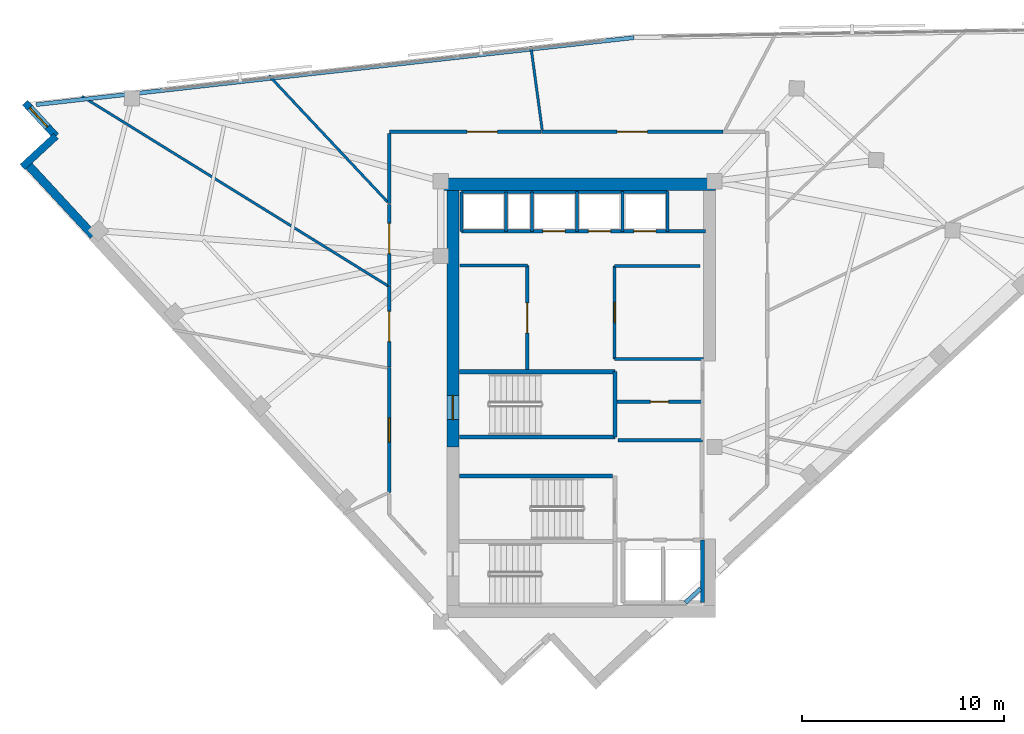
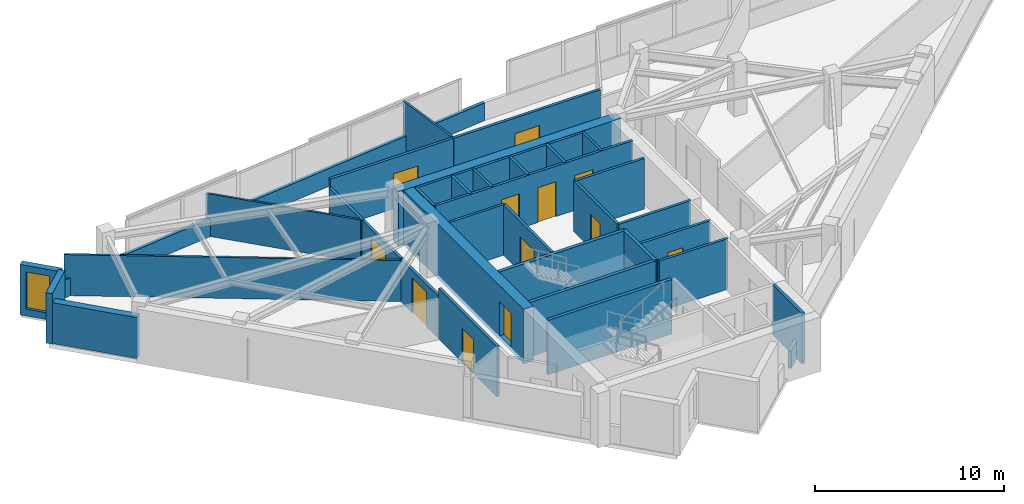
# One storey, part 8 of 11: 38 walls, 12 doors, 1 window, 13 openings.
"""IFC4 building model written with IfcOpenShell, lengths in metres."""

import ifcopenshell
import ifcopenshell.guid

model = None  # the IFC model being written
_history = None  # IfcOwnerHistory: only IFC2X3 demands one
_inside = {}  # id of a spatial element -> (the spatial element, [elements in it])
_under = {}  # id of a project, library or spatial element -> (it, [spatial elements below it])
_declared = {}  # id of a project -> (the project, [libraries it declares])
_typed = {}  # id of a type object -> (the type object, [elements of that type])
_made_of = {}  # id of a material, layer set ... -> (it, [elements and type objects made of it])


def new_model(schema):
    """Start an empty IFC model of exactly this schema.

    Asked for "IFC4X3", IfcOpenShell would pick the latest addendum, in which some entities
    have other attributes; the version numbers below select the first issue.
    IFC2X3 requires an IfcOwnerHistory on every rooted entity: one is made here for all.
    """
    global model, _history
    if schema == "IFC4X3":
        model = ifcopenshell.file(schema_version=(4, 3, 0, 0))
    else:
        model = ifcopenshell.file(schema=schema)
    _inside.clear()
    _under.clear()
    _declared.clear()
    _typed.clear()
    _made_of.clear()
    _history = None
    if model.schema == "IFC2X3":
        org = make("IfcOrganization", Name="unknown")
        user = make(
            "IfcPersonAndOrganization",
            ThePerson=make("IfcPerson", FamilyName="unknown"),
            TheOrganization=org,
        )
        app = make(
            "IfcApplication",
            ApplicationDeveloper=org,
            Version="unknown",
            ApplicationFullName="unknown",
            ApplicationIdentifier="unknown",
        )
        _history = make(
            "IfcOwnerHistory",
            OwningUser=user,
            OwningApplication=app,
            ChangeAction="ADDED",
            CreationDate=0,
        )
    return model


def make(cls, **values):
    """One entity of the class cls with the attributes given. An attribute that is None is left unset."""
    return model.create_entity(
        cls, **{name: value for name, value in values.items() if value is not None}
    )


def rooted(cls, **values):
    """An entity with a GlobalId (a new one), such as an element, a storey or a relation."""
    return make(cls, GlobalId=ifcopenshell.guid.new(), OwnerHistory=_history, **values)


def si_unit(unit_type, name, prefix=None):
    """IfcSIUnit, for example si_unit("LENGTHUNIT", "METRE", prefix="MILLI")."""
    return make("IfcSIUnit", UnitType=unit_type, Prefix=prefix, Name=name)


def assignment(units):
    """IfcUnitAssignment: the units of a project."""
    return None if units is None else make("IfcUnitAssignment", Units=units)


def point(xyz):
    """IfcCartesianPoint."""
    return None if xyz is None else make("IfcCartesianPoint", Coordinates=xyz)


def direction(xyz):
    """IfcDirection."""
    return None if xyz is None else make("IfcDirection", DirectionRatios=xyz)


def frame(location, z_axis=None, x_axis=None):
    """IfcAxis2Placement3D, a coordinate frame: its origin and axes. An axis left out is left unset."""
    return make(
        "IfcAxis2Placement3D",
        Location=point(location),
        Axis=direction(z_axis),
        RefDirection=direction(x_axis),
    )


def frame_2d(location, x_axis=None):
    """IfcAxis2Placement2D, a coordinate frame in the plane: its origin and x axis."""
    return make(
        "IfcAxis2Placement2D", Location=point(location), RefDirection=direction(x_axis)
    )


def origin():
    """The frame at (0, 0, 0) with its axes left unset."""
    return frame((0.0, 0.0, 0.0))


def place(relative_to, where):
    """IfcLocalPlacement: puts the frame where relative to a parent placement (None: the world)."""
    return make(
        "IfcLocalPlacement", PlacementRelTo=relative_to, RelativePlacement=where
    )


def context(
    kind, dimensions, precision=None, world=None, true_north=None, identifier=None
):
    """IfcGeometricRepresentationContext, for example the 3D "Model" context."""
    return make(
        "IfcGeometricRepresentationContext",
        ContextIdentifier=identifier,
        ContextType=kind,
        CoordinateSpaceDimension=dimensions,
        Precision=precision,
        WorldCoordinateSystem=world,
        TrueNorth=true_north,
    )


def subcontext(parent, identifier, kind, view, scale=None):
    """IfcGeometricRepresentationSubContext, for example "Body" below "Model"."""
    return make(
        "IfcGeometricRepresentationSubContext",
        ContextIdentifier=identifier,
        ContextType=kind,
        ParentContext=parent,
        TargetScale=scale,
        TargetView=view,
    )


def project(units=None, contexts=None):
    """IfcProject with its units and contexts."""
    return rooted(
        "IfcProject",
        Name="project",
        RepresentationContexts=contexts,
        UnitsInContext=assignment(units),
    )


def spatial(cls, under=None, at=None, **own):
    """A site, building, storey or space (cls), placed at a placement, below another one or the project."""
    s = rooted(cls, ObjectPlacement=at, **own)
    if under is not None:
        _under.setdefault(under.id(), (under, []))[1].append(s)
    return s


def profile(cls, at=None, kind="AREA", **sizes):
    """A parametric profile (cls). Its sizes go by their IFC names, for example OverallWidth=200.0."""
    return make(cls, ProfileType=kind, Position=at, **sizes)


def rectangle(**sizes):
    """IfcRectangleProfileDef."""
    return profile("IfcRectangleProfileDef", **sizes)


def extrude(swept, where, along, depth):
    """IfcExtrudedAreaSolid: the profile swept, set in the frame where, extruded along a direction by depth."""
    return make(
        "IfcExtrudedAreaSolid",
        SweptArea=swept,
        Position=where,
        ExtrudedDirection=direction(along),
        Depth=depth,
    )


def shape(context_of_items, identifier, shape_type, items):
    """IfcShapeRepresentation: the items that make up one representation, for example the "Body"."""
    return make(
        "IfcShapeRepresentation",
        ContextOfItems=context_of_items,
        RepresentationIdentifier=identifier,
        RepresentationType=shape_type,
        Items=items,
    )


def material(Name=None, Category=None):
    """IfcMaterial."""
    return make("IfcMaterial", Name=Name, Category=Category)


def layer(
    of_material, thickness, ventilated=None, Name=None, Category=None, Priority=None
):
    """IfcMaterialLayer: one layer of a wall or slab, of a material (None: an air gap)."""
    return make(
        "IfcMaterialLayer",
        Material=of_material,
        LayerThickness=thickness,
        IsVentilated=ventilated,
        Name=Name,
        Category=Category,
        Priority=Priority,
    )


def layer_set(layers, Name=None):
    """IfcMaterialLayerSet."""
    return make("IfcMaterialLayerSet", MaterialLayers=layers, LayerSetName=Name)


def made_of(thing, what):
    """Note that an element or type object is made of a material, layer set ...; save() writes the relation."""
    if what is not None:
        _made_of.setdefault(what.id(), (what, []))[1].append(thing)
    return thing


def type_object(cls, material=None, **own):
    """A type object (cls), such as IfcWallType, which elements share."""
    return made_of(rooted(cls, **own), material)


def element(
    cls,
    number,
    at=None,
    inside=None,
    cuts=None,
    type_object=None,
    material=None,
    context=None,
    identifier="Body",
    shape_type=None,
    held_by="IfcProductDefinitionShape",
    body=None,
    shapes=None,
    **own,
):
    """One element of the class cls, such as IfcWall. Its Tag is "e" and its number.

    at: its placement. inside: the storey or other place that contains it. cuts: it is an
    opening in that element (IfcRelVoidsElement). A single representation is given by context,
    identifier, shape_type and body (its items); several are given by shapes. held_by: the class
    of the entity that holds the representations. save() writes the other relations.
    """
    e = rooted(cls, Tag="e%d" % number, ObjectPlacement=at, **own)
    if body is not None:
        shapes = [shape(context, identifier, shape_type, body)]
    if shapes is not None:
        e.Representation = make(held_by, Representations=shapes)
    if inside is not None:
        _inside.setdefault(inside.id(), (inside, []))[1].append(e)
    if cuts is not None:
        rooted(
            "IfcRelVoidsElement", RelatingBuildingElement=cuts, RelatedOpeningElement=e
        )
    if type_object is not None:
        _typed.setdefault(type_object.id(), (type_object, []))[1].append(e)
    return made_of(e, material)


def fill(opening, filler):
    """IfcRelFillsElement: the door or window that sits in an opening."""
    return rooted(
        "IfcRelFillsElement",
        RelatingOpeningElement=opening,
        RelatedBuildingElement=filler,
    )


def aggregate(whole, parts):
    """IfcRelAggregates: a whole, such as a stair, and the parts it consists of."""
    return rooted("IfcRelAggregates", RelatingObject=whole, RelatedObjects=parts)


def save(model, path):
    """Write the relations noted so far, then the file.

    IfcRelAggregates (storeys below a building ...), IfcRelContainedInSpatialStructure (elements
    in a storey), IfcRelDefinesByType, IfcRelAssociatesMaterial and IfcRelDeclares: one each for
    every whole, place, type object, material and project.
    """
    for whole, parts in _under.values():
        aggregate(whole, parts)
    for where, things in _inside.values():
        rooted(
            "IfcRelContainedInSpatialStructure",
            RelatedElements=things,
            RelatingStructure=where,
        )
    for kind, things in _typed.values():
        rooted("IfcRelDefinesByType", RelatedObjects=things, RelatingType=kind)
    for what, things in _made_of.values():
        rooted("IfcRelAssociatesMaterial", RelatedObjects=things, RelatingMaterial=what)
    for by, libraries in _declared.values():
        rooted("IfcRelDeclares", RelatingContext=by, RelatedDefinitions=libraries)
    model.write(path)


model = new_model("IFC4")

# Units and contexts
model_context = context("Model", 3, precision=1e-05, world=origin(), true_north=direction((0.0, 1.0)))
body_context = subcontext(model_context, "Body", "Model", "MODEL_VIEW")
ifc_project = project(units=[si_unit("LENGTHUNIT", "METRE"), si_unit("AREAUNIT", "SQUARE_METRE"), si_unit("VOLUMEUNIT", "CUBIC_METRE"), si_unit("PLANEANGLEUNIT", "RADIAN"), si_unit("MASSUNIT", "GRAM", prefix="KILO")], contexts=[model_context])

# Site, building, storey
site_placement = place(None, origin())
site = spatial("IfcSite", under=ifc_project, at=site_placement, CompositionType="ELEMENT")
building_placement = place(site_placement, origin())
building = spatial("IfcBuilding", under=site, at=building_placement, Name="Narakoshi Arena Tower", CompositionType="ELEMENT")
storey_placement = place(building_placement, frame((0.0, 0.0, 285.3798828125)))
storey = spatial("IfcBuildingStorey", under=building, at=storey_placement, Name="L78", CompositionType="ELEMENT", Elevation=285.3798828125)

# Wall, opening, door
ifc_material_1 = material(Name="Concrete C50/60", Category="concrete")
ifc_layer_1 = layer(ifc_material_1, 0.60009765625)
ifc_layer_set_1 = layer_set([ifc_layer_1], Name="Concrete C50/60")
wall_type_1 = type_object("IfcWallType", Name="WL-CORE-600", PredefinedType="SHEAR", material=ifc_layer_set_1)
wall_1_placement = place(storey_placement, frame((72.60009765625, 43.35009765625, -0.259765625), z_axis=(0.0, 0.0, 1.0), x_axis=(0.0, 1.0, 0.0)))
wall_1 = element("IfcWall", 1, at=wall_1_placement, inside=storey, type_object=wall_type_1, Name="L78 Main Core Shear Wall CW-MN-W", PredefinedType="SHEAR", context=body_context, shape_type="SweptSolid", body=[
    extrude(rectangle(XDim=12.699951171875, YDim=0.60009765625, at=frame_2d((6.35009765625, 0.0))), origin(), (0.0, 0.0, 1.0), 3.519775390625),
])
opening_1_placement = place(wall_1_placement, frame((1.35009765625, 0.0, 0.260009765625)))
opening_1 = element("IfcOpeningElement", 2, at=opening_1_placement, cuts=wall_1, Name="Opening D-03", PredefinedType="OPENING", context=body_context, shape_type="SweptSolid", body=[
    extrude(rectangle(XDim=1.199951171875, YDim=2.199951171875, at=frame_2d((0.60009765625, 1.10009765625))), frame((0.0, 0.31005859375, 0.0), z_axis=(0.0, -1.0, 0.0), x_axis=(1.0, 0.0, 0.0)), (0.0, 0.0, 1.0), 0.6201171875),
])
ifc_material_2 = material(Name="Painted galvanized steel", Category="steel")
door_type_1 = type_object("IfcDoorType", Name="DR-STR-1200", OperationType="NOTDEFINED", PredefinedType="USERDEFINED", material=ifc_material_2)
door_1_placement = place(opening_1_placement, frame((1.199951171875, 0.0, 0.0), z_axis=(0.0, 0.0, 1.0), x_axis=(-1.0, 0.0, 0.0)))
door_1 = element("IfcDoor", 3, at=door_1_placement, inside=storey, type_object=door_type_1, Name="DR-L78-006", ObjectType="EXITDOOR", OperationType="SINGLE_SWING_LEFT", OverallHeight=2.199951171875, OverallWidth=1.199951171875, PredefinedType="USERDEFINED", context=body_context, shape_type="SweptSolid", body=[
    extrude(rectangle(XDim=1.199951171875, YDim=2.199951171875, at=frame_2d((0.60009765625, 1.10009765625))), frame((0.0, 0.02490234375, 0.0), z_axis=(0.0, -1.0, 0.0), x_axis=(1.0, 0.0, 0.0)), (0.0, 0.0, 1.0), 0.050048828125),
])
fill(opening_1, door_1)

# Wall
wall_2_placement = place(storey_placement, frame((72.0, 56.35009765625, -0.259765625), z_axis=(0.0, 0.0, 1.0), x_axis=(1.0, 0.0, 0.0)))
element("IfcWall", 4, at=wall_2_placement, inside=storey, type_object=wall_type_1, Name="L78 Main Core Shear Wall CW-MN-N", PredefinedType="SHEAR", context=body_context, shape_type="SweptSolid", body=[
    extrude(rectangle(XDim=13.60009765625, YDim=0.60009765625, at=frame_2d((6.800048828125, 0.0))), origin(), (0.0, 0.0, 1.0), 3.519775390625),
])

# Wall, opening, door
ifc_material_3 = material(Name="Gypsum plasterboard fire-rated partition")
ifc_layer_2 = layer(ifc_material_3, 0.1650390625)
ifc_layer_set_2 = layer_set([ifc_layer_2], Name="Gypsum plasterboard fire-rated partition")
wall_type_2 = type_object("IfcWallType", Name="WL-CORR-165", PredefinedType="PARTITIONING", material=ifc_layer_set_2)
wall_3_placement = place(storey_placement, frame((69.449951171875, 47.278564453125, 0.0), z_axis=(0.0, 0.0, 1.0), x_axis=(0.0, -1.0, 0.0)))
wall_3 = element("IfcWall", 5, at=wall_3_placement, inside=storey, type_object=wall_type_2, Name="L78 Corridor Partition 01-1", PredefinedType="PARTITIONING", context=body_context, shape_type="SweptSolid", body=[
    extrude(rectangle(XDim=6.175048828125, YDim=0.1650390625, at=frame_2d((3.08740234375, 0.0))), origin(), (0.0, 0.0, 1.0), 3.260009765625),
])
opening_2_placement = place(wall_3_placement, frame((2.487548828125, 0.0, 0.0)))
opening_2 = element("IfcOpeningElement", 6, at=opening_2_placement, cuts=wall_3, Name="Opening D-03", PredefinedType="OPENING", context=body_context, shape_type="SweptSolid", body=[
    extrude(rectangle(XDim=1.199951171875, YDim=2.199951171875, at=frame_2d((0.60009765625, 1.10009765625))), frame((0.0, 0.092529296875, 0.0), z_axis=(0.0, -1.0, 0.0), x_axis=(1.0, 0.0, 0.0)), (0.0, 0.0, 1.0), 0.18505859375),
])
door_2_placement = place(opening_2_placement, frame((1.199951171875, 0.0, 0.0), z_axis=(0.0, 0.0, 1.0), x_axis=(-1.0, 0.0, 0.0)))
door_2 = element("IfcDoor", 7, at=door_2_placement, inside=storey, type_object=door_type_1, Name="DR-L78-014", ObjectType="EXITDOOR", OperationType="SINGLE_SWING_LEFT", OverallHeight=2.199951171875, OverallWidth=1.199951171875, PredefinedType="USERDEFINED", context=body_context, shape_type="SweptSolid", body=[
    extrude(rectangle(XDim=1.199951171875, YDim=2.199951171875, at=frame_2d((0.60009765625, 1.10009765625))), frame((0.0, 0.02490234375, 0.0), z_axis=(0.0, -1.0, 0.0), x_axis=(1.0, 0.0, 0.0)), (0.0, 0.0, 1.0), 0.050048828125),
])
fill(opening_2, door_2)

wall_4_placement = place(storey_placement, frame((85.959716796875, 58.949951171875, 0.0), z_axis=(0.0, 0.0, 1.0), x_axis=(-1.0, 0.0, 0.0)))
wall_4 = element("IfcWall", 8, at=wall_4_placement, inside=storey, type_object=wall_type_2, Name="L78 Corridor Partition 07-1", PredefinedType="PARTITIONING", context=body_context, shape_type="SweptSolid", body=[
    extrude(rectangle(XDim=8.96435546875, YDim=0.1650390625, at=frame_2d((4.482177734375, 0.0))), origin(), (0.0, 0.0, 1.0), 3.260009765625),
])
opening_3_placement = place(wall_4_placement, frame((3.732177734375, 0.0, 0.0)))
opening_3 = element("IfcOpeningElement", 9, at=opening_3_placement, cuts=wall_4, Name="Opening D-09", PredefinedType="OPENING", context=body_context, shape_type="SweptSolid", body=[
    extrude(rectangle(XDim=1.5, YDim=2.25, at=frame_2d((0.75, 1.125))), frame((0.0, 0.092529296875, 0.0), z_axis=(0.0, -1.0, 0.0), x_axis=(1.0, 0.0, 0.0)), (0.0, 0.0, 1.0), 0.18505859375),
])
door_type_2 = type_object("IfcDoorType", Name="DR-PLT-1500", OperationType="DOUBLE_DOOR_SINGLE_SWING", PredefinedType="DOOR", material=ifc_material_2)
door_3_placement = place(opening_3_placement, frame((1.5, 0.0, 0.0), z_axis=(0.0, 0.0, 1.0), x_axis=(-1.0, 0.0, 0.0)))
door_3 = element("IfcDoor", 10, at=door_3_placement, inside=storey, type_object=door_type_2, Name="DR-L78-020", OperationType="DOUBLE_DOOR_SINGLE_SWING", OverallHeight=2.25, OverallWidth=1.5, PredefinedType="DOOR", context=body_context, shape_type="SweptSolid", body=[
    extrude(rectangle(XDim=1.5, YDim=2.25, at=frame_2d((0.75, 1.125))), frame((0.0, 0.02490234375, 0.0), z_axis=(0.0, -1.0, 0.0), x_axis=(1.0, 0.0, 0.0)), (0.0, 0.0, 1.0), 0.050048828125),
])
fill(opening_3, door_3)

wall_5_placement = place(storey_placement, frame((76.970947265625, 58.949951171875, 0.0), z_axis=(0.0, 0.0, 1.0), x_axis=(-1.0, 0.0, 0.0)))
wall_5 = element("IfcWall", 11, at=wall_5_placement, inside=storey, type_object=wall_type_2, Name="L78 Corridor Partition 08-1", PredefinedType="PARTITIONING", context=body_context, shape_type="SweptSolid", body=[
    extrude(rectangle(XDim=7.52099609375, YDim=0.1650390625, at=frame_2d((3.760498046875, 0.0))), origin(), (0.0, 0.0, 1.0), 3.260009765625),
])
opening_4_placement = place(wall_5_placement, frame((2.167236328125, 0.0, 0.0)))
opening_4 = element("IfcOpeningElement", 12, at=opening_4_placement, cuts=wall_5, Name="Opening D-09", PredefinedType="OPENING", context=body_context, shape_type="SweptSolid", body=[
    extrude(rectangle(XDim=1.5, YDim=2.25, at=frame_2d((0.75, 1.125))), frame((0.0, 0.092529296875, 0.0), z_axis=(0.0, -1.0, 0.0), x_axis=(1.0, 0.0, 0.0)), (0.0, 0.0, 1.0), 0.18505859375),
])
door_4_placement = place(opening_4_placement, frame((1.5, 0.0, 0.0), z_axis=(0.0, 0.0, 1.0), x_axis=(-1.0, 0.0, 0.0)))
door_4 = element("IfcDoor", 13, at=door_4_placement, inside=storey, type_object=door_type_2, Name="DR-L78-021", OperationType="DOUBLE_DOOR_SINGLE_SWING", OverallHeight=2.25, OverallWidth=1.5, PredefinedType="DOOR", context=body_context, shape_type="SweptSolid", body=[
    extrude(rectangle(XDim=1.5, YDim=2.25, at=frame_2d((0.75, 1.125))), frame((0.0, 0.02490234375, 0.0), z_axis=(0.0, -1.0, 0.0), x_axis=(1.0, 0.0, 0.0)), (0.0, 0.0, 1.0), 0.050048828125),
])
fill(opening_4, door_4)

# Wall
wall_6_placement = place(storey_placement, frame((69.449951171875, 58.85546875, 0.0), z_axis=(0.0, 0.0, 1.0), x_axis=(0.0, -1.0, 0.0)))
element("IfcWall", 14, at=wall_6_placement, inside=storey, type_object=wall_type_2, Name="L78 Corridor Partition 08-2", PredefinedType="PARTITIONING", context=body_context, shape_type="SweptSolid", body=[
    extrude(rectangle(XDim=3.470947265625, YDim=0.1650390625, at=frame_2d((1.7353515625, 0.0))), origin(), (0.0, 0.0, 1.0), 2.7451171875),
])

# Wall, opening, door
wall_7_placement = place(storey_placement, frame((69.449951171875, 51.312255859375, 0.0), z_axis=(0.0, 0.0, 1.0), x_axis=(0.0, -1.0, 0.0)))
wall_7 = element("IfcWall", 15, at=wall_7_placement, inside=storey, type_object=wall_type_2, Name="L78 Corridor Partition 09-1", PredefinedType="PARTITIONING", context=body_context, shape_type="SweptSolid", body=[
    extrude(rectangle(XDim=4.00927734375, YDim=0.1650390625, at=frame_2d((2.004638671875, 0.0))), origin(), (0.0, 0.0, 1.0), 2.7451171875),
])
opening_5_placement = place(wall_7_placement, frame((1.254638671875, 0.0, 0.0)))
opening_5 = element("IfcOpeningElement", 16, at=opening_5_placement, cuts=wall_7, Name="Opening D-09", PredefinedType="OPENING", context=body_context, shape_type="SweptSolid", body=[
    extrude(rectangle(XDim=1.5, YDim=2.25, at=frame_2d((0.75, 1.125))), frame((0.0, 0.092529296875, 0.0), z_axis=(0.0, -1.0, 0.0), x_axis=(1.0, 0.0, 0.0)), (0.0, 0.0, 1.0), 0.18505859375),
])
door_5_placement = place(opening_5_placement, frame((1.5, 0.0, 0.0), z_axis=(0.0, 0.0, 1.0), x_axis=(-1.0, 0.0, 0.0)))
door_5 = element("IfcDoor", 17, at=door_5_placement, inside=storey, type_object=door_type_2, Name="DR-L78-022", OperationType="DOUBLE_DOOR_SINGLE_SWING", OverallHeight=2.25, OverallWidth=1.5, PredefinedType="DOOR", context=body_context, shape_type="SweptSolid", body=[
    extrude(rectangle(XDim=1.5, YDim=2.25, at=frame_2d((0.75, 1.125))), frame((0.0, 0.02490234375, 0.0), z_axis=(0.0, -1.0, 0.0), x_axis=(1.0, 0.0, 0.0)), (0.0, 0.0, 1.0), 0.050048828125),
])
fill(opening_5, door_5)

wall_8_placement = place(storey_placement, frame((69.449951171875, 55.349853515625, 0.0), z_axis=(0.0, 0.0, 1.0), x_axis=(0.0, -1.0, 0.0)))
wall_8 = element("IfcWall", 18, at=wall_8_placement, inside=storey, type_object=wall_type_2, Name="L78 Corridor Partition 10-1", PredefinedType="PARTITIONING", context=body_context, shape_type="SweptSolid", body=[
    extrude(rectangle(XDim=4.00927734375, YDim=0.1650390625, at=frame_2d((2.004638671875, 0.0))), origin(), (0.0, 0.0, 1.0), 2.7451171875),
])
opening_6_placement = place(wall_8_placement, frame((0.938232421875, 0.0, 0.0)))
opening_6 = element("IfcOpeningElement", 19, at=opening_6_placement, cuts=wall_8, Name="Opening D-09", PredefinedType="OPENING", context=body_context, shape_type="SweptSolid", body=[
    extrude(rectangle(XDim=1.5, YDim=2.25, at=frame_2d((0.75, 1.125))), frame((0.0, 0.092529296875, 0.0), z_axis=(0.0, -1.0, 0.0), x_axis=(1.0, 0.0, 0.0)), (0.0, 0.0, 1.0), 0.18505859375),
])
door_6_placement = place(opening_6_placement, frame((1.5, 0.0, 0.0), z_axis=(0.0, 0.0, 1.0), x_axis=(-1.0, 0.0, 0.0)))
door_6 = element("IfcDoor", 20, at=door_6_placement, inside=storey, type_object=door_type_2, Name="DR-L78-023", OperationType="DOUBLE_DOOR_SINGLE_SWING", OverallHeight=2.25, OverallWidth=1.5, PredefinedType="DOOR", context=body_context, shape_type="SweptSolid", body=[
    extrude(rectangle(XDim=1.5, YDim=2.25, at=frame_2d((0.75, 1.125))), frame((0.0, 0.02490234375, 0.0), z_axis=(0.0, -1.0, 0.0), x_axis=(1.0, 0.0, 0.0)), (0.0, 0.0, 1.0), 0.050048828125),
])
fill(opening_6, door_6)

# Walls
ifc_material_4 = material(Name="Precast concrete C45/55", Category="concrete")
ifc_layer_3 = layer(ifc_material_4, 0.25)
ifc_layer_set_3 = layer_set([ifc_layer_3], Name="Precast concrete C45/55")
wall_type_3 = type_object("IfcWallType", Name="WL-PARA-250", PredefinedType="PARAPET", material=ifc_layer_set_3)
wall_9_placement = place(storey_placement, frame((81.556640625, 63.603759765625, 0.0), z_axis=(0.0, 0.0, 1.0), x_axis=(-0.993776455024, -0.111392806945, 0.0)))
element("IfcWall", 21, at=wall_9_placement, inside=storey, type_object=wall_type_3, Name="L78 Hypotenuse Sill Upstand Parapet 2-01", PredefinedType="PARAPET", context=body_context, shape_type="SweptSolid", body=[
    extrude(rectangle(XDim=24.891357421875, YDim=0.199951171875, at=frame_2d((12.44580078125, 0.0))), origin(), (0.0, 0.0, 1.0), 1.150146484375),
])
wall_10_placement = place(storey_placement, frame((56.565185546875, 60.802490234375, 0.0), z_axis=(0.0, 0.0, 1.0), x_axis=(-0.99377164586, -0.111435702918, 0.0)))
element("IfcWall", 22, at=wall_10_placement, inside=storey, type_object=wall_type_3, Name="L78 Hypotenuse Sill Upstand Parapet 2-02", PredefinedType="PARAPET", context=body_context, shape_type="SweptSolid", body=[
    extrude(rectangle(XDim=4.6162109375, YDim=0.199951171875, at=frame_2d((2.30810546875, 0.0))), origin(), (0.0, 0.0, 1.0), 1.150146484375),
])
wall_11_placement = place(storey_placement, frame((84.860107421875, 36.3349609375, 0.0), z_axis=(0.0, 0.0, 1.0), x_axis=(-0.734337093013, -0.678784968768, 0.0)))
element("IfcWall", 23, at=wall_11_placement, inside=storey, type_object=wall_type_3, Name="L78 Crown Sill Upstand Parapet 04", PredefinedType="PARAPET", context=body_context, shape_type="SweptSolid", body=[
    extrude(rectangle(XDim=1.02392578125, YDim=0.199951171875, at=frame_2d((0.511962890625, 0.0))), origin(), (0.0, 0.0, 1.0), 1.150146484375),
])
ifc_layer_4 = layer(ifc_material_3, 0.125)
ifc_layer_set_4 = layer_set([ifc_layer_4], Name="Gypsum plasterboard fire-rated partition")
wall_type_4 = type_object("IfcWallType", Name="WL-PART-125", PredefinedType="PARTITIONING", material=ifc_layer_set_4)
wall_12_placement = place(storey_placement, frame((77.018310546875, 59.04443359375, 0.0), z_axis=(0.0, 0.0, 1.0), x_axis=(-0.1342986465, 0.990940903156, 0.0)))
element("IfcWall", 24, at=wall_12_placement, inside=storey, type_object=wall_type_4, Name="L78 Inter-Room Partition 07-08", PredefinedType="PARTITIONING", context=body_context, shape_type="SweptSolid", body=[
    extrude(rectangle(XDim=4.1865234375, YDim=0.125, at=frame_2d((2.09326171875, 0.0))), origin(), (0.0, 0.0, 1.0), 3.260009765625),
])
wall_13_placement = place(storey_placement, frame((69.35546875, 55.485107421875, 0.0), z_axis=(0.0, 0.0, 1.0), x_axis=(-0.684471103422, 0.729039991071, 0.0)))
element("IfcWall", 25, at=wall_13_placement, inside=storey, type_object=wall_type_4, Name="L78 Inter-Room Partition 08-10", PredefinedType="PARTITIONING", context=body_context, shape_type="SweptSolid", body=[
    extrude(rectangle(XDim=8.578369140625, YDim=0.125, at=frame_2d((4.2890625, 0.0))), origin(), (0.0, 0.0, 1.0), 2.7451171875),
])
wall_14_placement = place(storey_placement, frame((54.238525390625, 60.70263671875, 0.0), z_axis=(0.0, 0.0, 1.0), x_axis=(0.850126528755, -0.526578470038, 0.0)))
element("IfcWall", 26, at=wall_14_placement, inside=storey, type_object=wall_type_4, Name="L78 Inter-Room Partition 09-10", PredefinedType="PARTITIONING", context=body_context, shape_type="SweptSolid", body=[
    extrude(rectangle(XDim=17.832763671875, YDim=0.125, at=frame_2d((8.91650390625, 0.0))), origin(), (0.0, 0.0, 1.0), 2.64501953125),
])
ifc_layer_5 = layer(ifc_material_4, 0.419921875)
ifc_layer_set_5 = layer_set([ifc_layer_5], Name="Precast concrete C45/55")
wall_type_5 = type_object("IfcWallType", Name="WL-POD-420", PredefinedType="SOLIDWALL", material=ifc_layer_set_5)
wall_15_placement = place(storey_placement, frame((51.5, 57.38720703125, 0.0), z_axis=(0.0, 0.0, 1.0), x_axis=(0.67880684669, -0.734316869537, 0.0)))
element("IfcWall", 27, at=wall_15_placement, inside=storey, type_object=wall_type_5, Name="L78 Architectural Concrete Facade Wall LEGB-1", PredefinedType="SOLIDWALL", context=body_context, shape_type="SweptSolid", body=[
    extrude(rectangle(XDim=4.86865234375, YDim=0.419921875, at=frame_2d((2.434326171875, 0.0))), origin(), (0.0, 0.0, 1.0), 2.64501953125),
])

# Wall, opening, window
wall_16_placement = place(storey_placement, frame((51.42333984375, 60.38720703125, 0.0), z_axis=(0.0, 0.0, 1.0), x_axis=(0.678792531533, -0.734330102294, 0.0)))
wall_16 = element("IfcWall", 28, at=wall_16_placement, inside=storey, type_object=wall_type_5, Name="L78 Re-Entrant Corner Notch Wall NTN-1", PredefinedType="SOLIDWALL", context=body_context, shape_type="SweptSolid", body=[
    extrude(rectangle(XDim=2.255126953125, YDim=0.360107421875, at=frame_2d((1.12744140625, 0.0))), origin(), (0.0, 0.0, 1.0), 3.260009765625),
])
opening_7_placement = place(wall_16_placement, frame((0.340087890625, 0.0, 0.449951171875)))
opening_7 = element("IfcOpeningElement", 29, at=opening_7_placement, cuts=wall_16, Name="Opening WN-06", PredefinedType="OPENING", context=body_context, shape_type="SweptSolid", body=[
    extrude(rectangle(XDim=1.300048828125, YDim=2.39990234375, at=frame_2d((0.64990234375, 1.199951171875))), frame((0.0, 0.18994140625, 0.0), z_axis=(0.0, -1.0, 0.0), x_axis=(1.0, 0.0, 0.0)), (0.0, 0.0, 1.0), 0.380126953125),
])
ifc_material_5 = material(Name="Bronze-tinted low-E laminated glass", Category="glass")
window_type = type_object("IfcWindowType", Name="WIN-NTC-16x24", PartitioningType="SINGLE_PANEL", PredefinedType="WINDOW", material=ifc_material_5)
window_placement = place(opening_7_placement, origin())
window = element("IfcWindow", 30, at=window_placement, inside=storey, type_object=window_type, Name="L78 Corner Notch Window NTN", OverallHeight=2.39990234375, OverallWidth=1.300048828125, PartitioningType="SINGLE_PANEL", PredefinedType="WINDOW", context=body_context, shape_type="SweptSolid", body=[
    extrude(rectangle(XDim=1.300048828125, YDim=2.39990234375, at=frame_2d((0.64990234375, 1.199951171875))), frame((0.0, 0.030029296875, 0.0), z_axis=(0.0, -1.0, 0.0), x_axis=(1.0, 0.0, 0.0)), (0.0, 0.0, 1.0), 0.06005859375),
])
fill(opening_7, window)

# Wall
wall_17_placement = place(storey_placement, frame((52.9541015625, 58.731201171875, 0.0), z_axis=(0.0, 0.0, 1.0), x_axis=(-0.734330102294, -0.678792531533, 0.0)))
element("IfcWall", 31, at=wall_17_placement, inside=storey, type_object=wall_type_5, Name="L78 Re-Entrant Corner Notch Wall NTN-2", PredefinedType="SOLIDWALL", context=body_context, shape_type="SweptSolid", body=[
    extrude(rectangle(XDim=2.255126953125, YDim=0.360107421875, at=frame_2d((1.12744140625, 0.0))), origin(), (0.0, 0.0, 1.0), 3.260009765625),
])

# Wall, opening, door
ifc_material_6 = material(Name="Concrete C40/50", Category="concrete")
ifc_layer_6 = layer(ifc_material_6, 0.280029296875)
ifc_layer_set_6 = layer_set([ifc_layer_6], Name="Concrete C40/50")
wall_type_6 = type_object("IfcWallType", Name="WL-RISER-280", PredefinedType="PLUMBINGWALL", material=ifc_layer_set_6)
wall_18_placement = place(storey_placement, frame((80.719970703125, 45.580078125, 0.0), z_axis=(0.0, 0.0, 1.0), x_axis=(1.0, 0.0, 0.0)))
wall_18 = element("IfcWall", 32, at=wall_18_placement, inside=storey, type_object=wall_type_6, Name="L78 Core Wall RSR-N", PredefinedType="PLUMBINGWALL", context=body_context, shape_type="SweptSolid", body=[
    extrude(rectangle(XDim=4.22998046875, YDim=0.159912109375, at=frame_2d((2.114990234375, 0.0))), origin(), (0.0, 0.0, 1.0), 3.260009765625),
])
opening_8_placement = place(wall_18_placement, frame((1.64990234375, 0.0, 0.0)))
opening_8 = element("IfcOpeningElement", 33, at=opening_8_placement, cuts=wall_18, Name="Opening D-08", PredefinedType="OPENING", context=body_context, shape_type="SweptSolid", body=[
    extrude(rectangle(XDim=0.89990234375, YDim=2.10009765625, at=frame_2d((0.449951171875, 1.050048828125))), frame((0.0, 0.08984375, 0.0), z_axis=(0.0, -1.0, 0.0), x_axis=(1.0, 0.0, 0.0)), (0.0, 0.0, 1.0), 0.179931640625),
])
ifc_material_7 = material(Name="Moisture-resistant laminate timber", Category="wood")
door_type_3 = type_object("IfcDoorType", Name="DR-WC-900", OperationType="NOTDEFINED", PredefinedType="DOOR", material=ifc_material_7)
door_7_placement = place(opening_8_placement, frame((0.89990234375, 0.0, 0.0), z_axis=(0.0, 0.0, 1.0), x_axis=(-1.0, 0.0, 0.0)))
door_7 = element("IfcDoor", 34, at=door_7_placement, inside=storey, type_object=door_type_3, Name="DR-L78-008", OperationType="SINGLE_SWING_LEFT", OverallHeight=2.10009765625, OverallWidth=0.89990234375, PredefinedType="DOOR", context=body_context, shape_type="SweptSolid", body=[
    extrude(rectangle(XDim=0.89990234375, YDim=2.10009765625, at=frame_2d((0.449951171875, 1.050048828125))), frame((0.0, 0.02490234375, 0.0), z_axis=(0.0, -1.0, 0.0), x_axis=(1.0, 0.0, 0.0)), (0.0, 0.0, 1.0), 0.050048828125),
])
fill(opening_8, door_7)

# Walls
wall_19_placement = place(storey_placement, frame((80.760009765625, 43.679931640625, 0.0), z_axis=(0.0, 0.0, 1.0), x_axis=(1.0, 0.0, 0.0)))
element("IfcWall", 35, at=wall_19_placement, inside=storey, type_object=wall_type_6, Name="L78 Core Wall RSR-S", PredefinedType="PLUMBINGWALL", context=body_context, shape_type="SweptSolid", body=[
    extrude(rectangle(XDim=4.18994140625, YDim=0.159912109375, at=frame_2d((2.094970703125, 0.0))), origin(), (0.0, 0.0, 1.0), 3.260009765625),
])
for number, where, z_axis, x_axis, name in (
    (36, (73.02001953125, 54.02001953125, 0.0), (0.0, 0.0, 1.0), (0.0, 1.0, 0.0), "L78 Core Wall OBS-W"),
    (37, (75.219970703125, 54.02001953125, 0.0), (0.0, 0.0, 1.0), (0.0, 1.0, 0.0), "L78 Core Wall OBS-M"),
):
    element("IfcWall", number, at=place(storey_placement, frame(where, z_axis=z_axis, x_axis=x_axis)), inside=storey, type_object=wall_type_6, Name=name, PredefinedType="PLUMBINGWALL", context=body_context, shape_type="SweptSolid", body=[
        extrude(rectangle(XDim=1.93994140625, YDim=0.14990234375, at=frame_2d((0.969970703125, 0.0))), origin(), (0.0, 0.0, 1.0), 3.260009765625),
    ])
for number, where, z_axis, x_axis, name in (
    (38, (78.75, 54.02001953125, 0.0), (0.0, 0.0, 1.0), (0.0, 1.0, 0.0), "L78 Core Wall HR-D1"),
    (39, (81.0, 54.02001953125, 0.0), (0.0, 0.0, 1.0), (0.0, 1.0, 0.0), "L78 Core Wall HR-D2"),
):
    element("IfcWall", number, at=place(storey_placement, frame(where, z_axis=z_axis, x_axis=x_axis)), inside=storey, type_object=wall_type_6, Name=name, PredefinedType="PLUMBINGWALL", context=body_context, shape_type="SweptSolid", body=[
        extrude(rectangle(XDim=1.9599609375, YDim=0.14990234375, at=frame_2d((0.97998046875, 0.0))), origin(), (0.0, 0.0, 1.0), 3.260009765625),
    ])
ifc_layer_7 = layer(ifc_material_1, 0.35009765625)
ifc_layer_set_7 = layer_set([ifc_layer_7], Name="Concrete C50/60")
wall_type_7 = type_object("IfcWallType", Name="WL-SHAFT-350", PredefinedType="SOLIDWALL", material=ifc_layer_set_7)
wall_20_placement = place(storey_placement, frame((84.949951171875, 35.64990234375, 0.0), z_axis=(0.0, 0.0, 1.0), x_axis=(0.0, 1.0, 0.0)))
element("IfcWall", 40, at=wall_20_placement, inside=storey, type_object=wall_type_7, Name="L78 Core Wall FF-E", PredefinedType="SOLIDWALL", context=body_context, shape_type="SweptSolid", body=[
    extrude(rectangle(XDim=3.10009765625, YDim=0.179931640625, at=frame_2d((1.550048828125, 0.0))), origin(), (0.0, 0.0, 1.0), 3.260009765625),
])
wall_21_placement = place(storey_placement, frame((72.919921875, 41.919921875, -0.259765625), z_axis=(0.0, 0.0, 1.0), x_axis=(1.0, 0.0, 0.0)))
element("IfcWall", 41, at=wall_21_placement, inside=storey, type_object=wall_type_7, Name="L78 Core Wall ST2-N", PredefinedType="SOLIDWALL", context=body_context, shape_type="SweptSolid", body=[
    extrude(rectangle(XDim=7.580078125, YDim=0.199951171875, at=frame_2d((3.7900390625, 0.0))), origin(), (0.0, 0.0, 1.0), 3.519775390625),
])
for number, where, z_axis, x_axis, name in (
    (42, (72.919921875, 43.830078125, -0.259765625), (0.0, 0.0, 1.0), (1.0, 0.0, 0.0), "L78 Core Wall ST3-S"),
    (43, (72.919921875, 47.070068359375, -0.259765625), (0.0, 0.0, 1.0), (1.0, 0.0, 0.0), "L78 Core Wall ST3-N"),
):
    element("IfcWall", number, at=place(storey_placement, frame(where, z_axis=z_axis, x_axis=x_axis)), inside=storey, type_object=wall_type_7, Name=name, PredefinedType="SOLIDWALL", context=body_context, shape_type="SweptSolid", body=[
        extrude(rectangle(XDim=7.7001953125, YDim=0.199951171875, at=frame_2d((3.85009765625, 0.0))), origin(), (0.0, 0.0, 1.0), 3.519775390625),
    ])
wall_22_placement = place(storey_placement, frame((80.6201171875, 43.830078125, -0.259765625), z_axis=(0.0, 0.0, 1.0), x_axis=(0.0, 1.0, 0.0)))
element("IfcWall", 44, at=wall_22_placement, inside=storey, type_object=wall_type_7, Name="L78 Core Wall ST3-E", PredefinedType="SOLIDWALL", context=body_context, shape_type="SweptSolid", body=[
    extrude(rectangle(XDim=3.239990234375, YDim=0.199951171875, at=frame_2d((1.6201171875, 0.0))), origin(), (0.0, 0.0, 1.0), 3.519775390625),
])

# Wall, opening, door
wall_23_placement = place(storey_placement, frame((76.280029296875, 47.179931640625, 0.0), z_axis=(0.0, 0.0, 1.0), x_axis=(0.0, 1.0, 0.0)))
wall_23 = element("IfcWall", 45, at=wall_23_placement, inside=storey, type_object=wall_type_7, Name="L78 Core Wall LR-E", PredefinedType="SOLIDWALL", context=body_context, shape_type="SweptSolid", body=[
    extrude(rectangle(XDim=5.14013671875, YDim=0.159912109375, at=frame_2d((2.570068359375, 0.0))), origin(), (0.0, 0.0, 1.0), 3.260009765625),
])
opening_9_placement = place(wall_23_placement, frame((1.800048828125, 0.0, 0.0)))
opening_9 = element("IfcOpeningElement", 46, at=opening_9_placement, cuts=wall_23, Name="Opening D-09", PredefinedType="OPENING", context=body_context, shape_type="SweptSolid", body=[
    extrude(rectangle(XDim=1.5, YDim=2.25, at=frame_2d((0.75, 1.125))), frame((0.0, 0.08984375, 0.0), z_axis=(0.0, -1.0, 0.0), x_axis=(1.0, 0.0, 0.0)), (0.0, 0.0, 1.0), 0.179931640625),
])
door_8_placement = place(opening_9_placement, frame((1.5, 0.0, 0.0), z_axis=(0.0, 0.0, 1.0), x_axis=(-1.0, 0.0, 0.0)))
door_8 = element("IfcDoor", 47, at=door_8_placement, inside=storey, type_object=door_type_2, Name="DR-L78-009", OperationType="DOUBLE_DOOR_SINGLE_SWING", OverallHeight=2.25, OverallWidth=1.5, PredefinedType="DOOR", context=body_context, shape_type="SweptSolid", body=[
    extrude(rectangle(XDim=1.5, YDim=2.25, at=frame_2d((0.75, 1.125))), frame((0.0, 0.02490234375, 0.0), z_axis=(0.0, -1.0, 0.0), x_axis=(1.0, 0.0, 0.0)), (0.0, 0.0, 1.0), 0.050048828125),
])
fill(opening_9, door_8)

# Wall
wall_24_placement = place(storey_placement, frame((72.949951171875, 52.320068359375, 0.0), z_axis=(0.0, 0.0, 1.0), x_axis=(1.0, 0.0, 0.0)))
element("IfcWall", 48, at=wall_24_placement, inside=storey, type_object=wall_type_7, Name="L78 Core Wall LR-N", PredefinedType="SOLIDWALL", context=body_context, shape_type="SweptSolid", body=[
    extrude(rectangle(XDim=3.330078125, YDim=0.14990234375, at=frame_2d((1.6650390625, 0.0))), origin(), (0.0, 0.0, 1.0), 3.260009765625),
])

# Wall, opening, door
wall_25_placement = place(storey_placement, frame((80.60009765625, 47.699951171875, 0.0), z_axis=(0.0, 0.0, 1.0), x_axis=(0.0, 1.0, 0.0)))
wall_25 = element("IfcWall", 49, at=wall_25_placement, inside=storey, type_object=wall_type_7, Name="L78 Core Wall MR-W", PredefinedType="SOLIDWALL", context=body_context, shape_type="SweptSolid", body=[
    extrude(rectangle(XDim=4.60009765625, YDim=0.159912109375, at=frame_2d((2.300048828125, 0.0))), origin(), (0.0, 0.0, 1.0), 3.260009765625),
])
opening_10_placement = place(wall_25_placement, frame((1.800048828125, 0.0, 0.0)))
opening_10 = element("IfcOpeningElement", 50, at=opening_10_placement, cuts=wall_25, Name="Opening D-06", PredefinedType="OPENING", context=body_context, shape_type="SweptSolid", body=[
    extrude(rectangle(XDim=1.0, YDim=2.199951171875, at=frame_2d((0.5, 1.10009765625))), frame((0.0, 0.08984375, 0.0), z_axis=(0.0, -1.0, 0.0), x_axis=(1.0, 0.0, 0.0)), (0.0, 0.0, 1.0), 0.179931640625),
])
ifc_material_8 = material(Name="Stained oak solid-core timber", Category="wood")
door_type_4 = type_object("IfcDoorType", Name="DR-OFF-1000", OperationType="NOTDEFINED", PredefinedType="DOOR", material=ifc_material_8)
door_9_placement = place(opening_10_placement, origin())
door_9 = element("IfcDoor", 51, at=door_9_placement, inside=storey, type_object=door_type_4, Name="DR-L78-010", OperationType="SINGLE_SWING_LEFT", OverallHeight=2.199951171875, OverallWidth=1.0, PredefinedType="DOOR", context=body_context, shape_type="SweptSolid", body=[
    extrude(rectangle(XDim=1.0, YDim=2.199951171875, at=frame_2d((0.5, 1.10009765625))), frame((0.0, 0.02490234375, 0.0), z_axis=(0.0, -1.0, 0.0), x_axis=(1.0, 0.0, 0.0)), (0.0, 0.0, 1.0), 0.050048828125),
])
fill(opening_10, door_9)

# Walls
wall_26_placement = place(storey_placement, frame((80.60009765625, 47.699951171875, 0.0), z_axis=(0.0, 0.0, 1.0), x_axis=(1.0, 0.0, 0.0)))
element("IfcWall", 52, at=wall_26_placement, inside=storey, type_object=wall_type_7, Name="L78 Core Wall MR-S", PredefinedType="SOLIDWALL", context=body_context, shape_type="SweptSolid", body=[
    extrude(rectangle(XDim=4.39990234375, YDim=0.159912109375, at=frame_2d((2.199951171875, 0.0))), origin(), (0.0, 0.0, 1.0), 3.260009765625),
])
wall_27_placement = place(storey_placement, frame((80.60009765625, 52.300048828125, 0.0), z_axis=(0.0, 0.0, 1.0), x_axis=(1.0, 0.0, 0.0)))
element("IfcWall", 53, at=wall_27_placement, inside=storey, type_object=wall_type_7, Name="L78 Core Wall MR-N", PredefinedType="SOLIDWALL", context=body_context, shape_type="SweptSolid", body=[
    extrude(rectangle(XDim=4.219970703125, YDim=0.159912109375, at=frame_2d((2.10986328125, 0.0))), origin(), (0.0, 0.0, 1.0), 3.260009765625),
])

# Wall, openings, doors
wall_28_placement = place(storey_placement, frame((73.02001953125, 54.02001953125, 0.0), z_axis=(0.0, 0.0, 1.0), x_axis=(1.0, 0.0, 0.0)))
wall_28 = element("IfcWall", 54, at=wall_28_placement, inside=storey, type_object=wall_type_7, Name="L78 Core Wall NSHF-S", PredefinedType="SOLIDWALL", context=body_context, shape_type="SweptSolid", body=[
    extrude(rectangle(XDim=12.080078125, YDim=0.159912109375, at=frame_2d((6.0400390625, 0.0))), origin(), (0.0, 0.0, 1.0), 3.260009765625),
])
opening_11_placement = place(wall_28_placement, frame((4.030029296875, 0.0, 0.0)))
opening_11 = element("IfcOpeningElement", 55, at=opening_11_placement, cuts=wall_28, Name="Opening LD-01", PredefinedType="OPENING", context=body_context, shape_type="SweptSolid", body=[
    extrude(rectangle(XDim=1.10009765625, YDim=2.25, at=frame_2d((0.550048828125, 1.125))), frame((0.0, 0.08984375, 0.0), z_axis=(0.0, -1.0, 0.0), x_axis=(1.0, 0.0, 0.0)), (0.0, 0.0, 1.0), 0.179931640625),
])
opening_12_placement = place(wall_28_placement, frame((6.280029296875, 0.0, 0.0)))
opening_12 = element("IfcOpeningElement", 56, at=opening_12_placement, cuts=wall_28, Name="Opening LD-01", PredefinedType="OPENING", context=body_context, shape_type="SweptSolid", body=[
    extrude(rectangle(XDim=1.10009765625, YDim=2.25, at=frame_2d((0.550048828125, 1.125))), frame((0.0, 0.08984375, 0.0), z_axis=(0.0, -1.0, 0.0), x_axis=(1.0, 0.0, 0.0)), (0.0, 0.0, 1.0), 0.179931640625),
])
opening_13_placement = place(wall_28_placement, frame((8.530029296875, 0.0, 0.0)))
opening_13 = element("IfcOpeningElement", 57, at=opening_13_placement, cuts=wall_28, Name="Opening LD-01", PredefinedType="OPENING", context=body_context, shape_type="SweptSolid", body=[
    extrude(rectangle(XDim=1.10009765625, YDim=2.25, at=frame_2d((0.550048828125, 1.125))), frame((0.0, 0.08984375, 0.0), z_axis=(0.0, -1.0, 0.0), x_axis=(1.0, 0.0, 0.0)), (0.0, 0.0, 1.0), 0.179931640625),
])
ifc_material_9 = material(Name="Brushed bronze stainless steel", Category="steel")
door_type_5 = type_object("IfcDoorType", Name="DR-LFT-1100", OperationType="DOUBLE_DOOR_SLIDING", PredefinedType="DOOR", material=ifc_material_9)
door_10_placement = place(opening_11_placement, origin())
door_10 = element("IfcDoor", 58, at=door_10_placement, inside=storey, type_object=door_type_5, Name="DR-L78-011", OperationType="DOUBLE_DOOR_SLIDING", OverallHeight=2.25, OverallWidth=1.10009765625, PredefinedType="DOOR", context=body_context, shape_type="SweptSolid", body=[
    extrude(rectangle(XDim=1.10009765625, YDim=2.25, at=frame_2d((0.550048828125, 1.125))), frame((0.0, 0.02490234375, 0.0), z_axis=(0.0, -1.0, 0.0), x_axis=(1.0, 0.0, 0.0)), (0.0, 0.0, 1.0), 0.050048828125),
])
fill(opening_11, door_10)
door_11_placement = place(opening_12_placement, origin())
door_11 = element("IfcDoor", 59, at=door_11_placement, inside=storey, type_object=door_type_5, Name="DR-L78-012", OperationType="DOUBLE_DOOR_SLIDING", OverallHeight=2.25, OverallWidth=1.10009765625, PredefinedType="DOOR", context=body_context, shape_type="SweptSolid", body=[
    extrude(rectangle(XDim=1.10009765625, YDim=2.25, at=frame_2d((0.550048828125, 1.125))), frame((0.0, 0.02490234375, 0.0), z_axis=(0.0, -1.0, 0.0), x_axis=(1.0, 0.0, 0.0)), (0.0, 0.0, 1.0), 0.050048828125),
])
fill(opening_12, door_11)
door_12_placement = place(opening_13_placement, origin())
door_12 = element("IfcDoor", 60, at=door_12_placement, inside=storey, type_object=door_type_5, Name="DR-L78-013", OperationType="DOUBLE_DOOR_SLIDING", OverallHeight=2.25, OverallWidth=1.10009765625, PredefinedType="DOOR", context=body_context, shape_type="SweptSolid", body=[
    extrude(rectangle(XDim=1.10009765625, YDim=2.25, at=frame_2d((0.550048828125, 1.125))), frame((0.0, 0.02490234375, 0.0), z_axis=(0.0, -1.0, 0.0), x_axis=(1.0, 0.0, 0.0)), (0.0, 0.0, 1.0), 0.050048828125),
])
fill(opening_13, door_12)

# Walls
wall_29_placement = place(storey_placement, frame((73.02001953125, 55.9599609375, 0.0), z_axis=(0.0, 0.0, 1.0), x_axis=(1.0, 0.0, 0.0)))
element("IfcWall", 61, at=wall_29_placement, inside=storey, type_object=wall_type_7, Name="L78 Core Wall OBS-N", PredefinedType="SOLIDWALL", context=body_context, shape_type="SweptSolid", body=[
    extrude(rectangle(XDim=3.5, YDim=0.14990234375, at=frame_2d((1.75, 0.0))), origin(), (0.0, 0.0, 1.0), 3.260009765625),
])
wall_30_placement = place(storey_placement, frame((76.52001953125, 54.02001953125, 0.0), z_axis=(0.0, 0.0, 1.0), x_axis=(0.0, 1.0, 0.0)))
element("IfcWall", 62, at=wall_30_placement, inside=storey, type_object=wall_type_7, Name="L78 Core Wall OBS-E", PredefinedType="SOLIDWALL", context=body_context, shape_type="SweptSolid", body=[
    extrude(rectangle(XDim=1.93994140625, YDim=0.14990234375, at=frame_2d((0.969970703125, 0.0))), origin(), (0.0, 0.0, 1.0), 3.260009765625),
])
wall_31_placement = place(storey_placement, frame((83.219970703125, 54.02001953125, 0.0), z_axis=(0.0, 0.0, 1.0), x_axis=(0.0, 1.0, 0.0)))
element("IfcWall", 63, at=wall_31_placement, inside=storey, type_object=wall_type_7, Name="L78 Core Wall HR-E", PredefinedType="SOLIDWALL", context=body_context, shape_type="SweptSolid", body=[
    extrude(rectangle(XDim=1.9599609375, YDim=0.14990234375, at=frame_2d((0.97998046875, 0.0))), origin(), (0.0, 0.0, 1.0), 3.260009765625),
])
wall_32_placement = place(storey_placement, frame((76.52001953125, 55.9599609375, 0.0), z_axis=(0.0, 0.0, 1.0), x_axis=(1.0, 0.0, 0.0)))
element("IfcWall", 64, at=wall_32_placement, inside=storey, type_object=wall_type_7, Name="L78 Core Wall HR-N", PredefinedType="SOLIDWALL", context=body_context, shape_type="SweptSolid", body=[
    extrude(rectangle(XDim=6.699951171875, YDim=0.14990234375, at=frame_2d((3.35009765625, 0.0))), origin(), (0.0, 0.0, 1.0), 3.260009765625),
])

save(model, "model.ifc")
